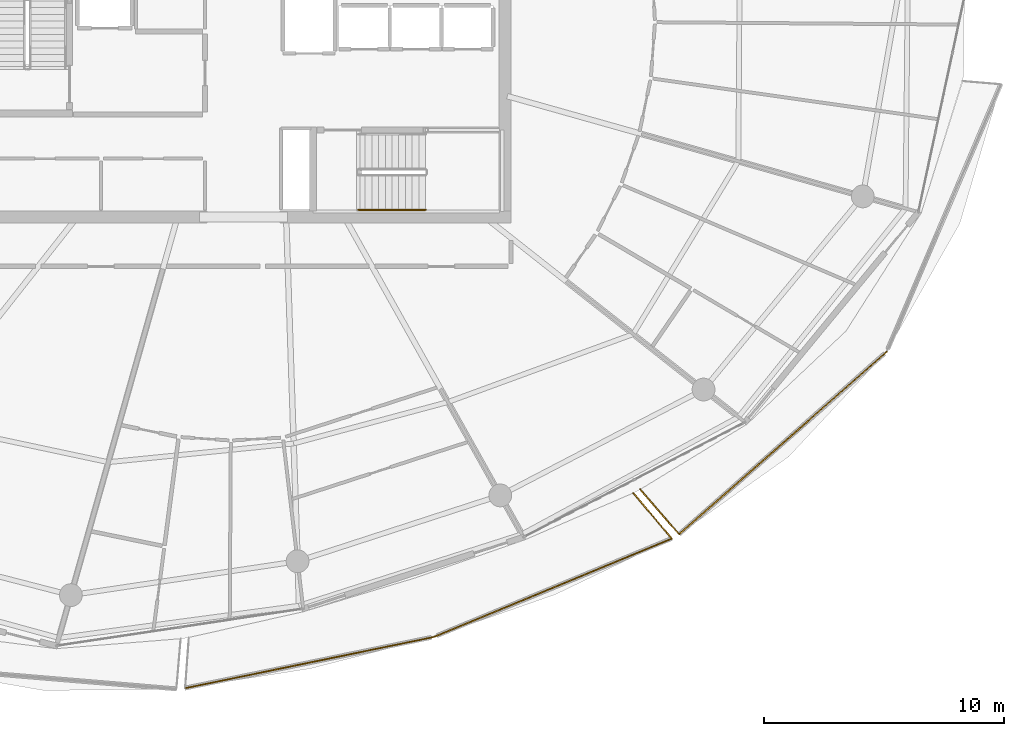
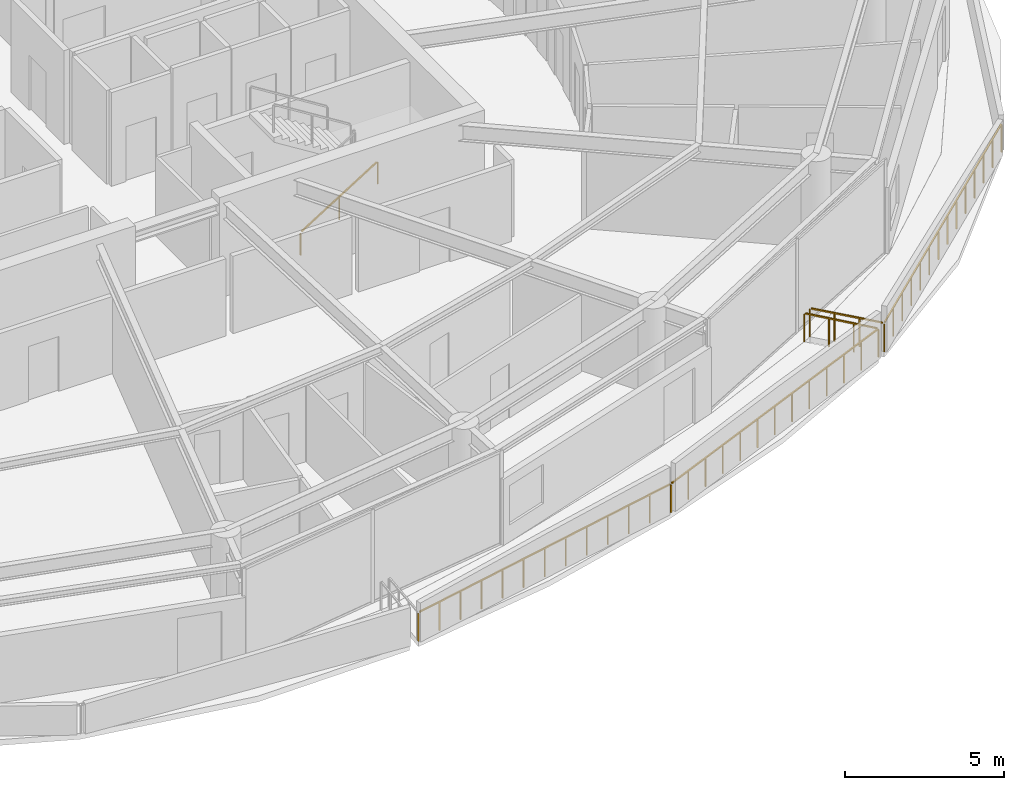
# One storey, part 26 of 30: 6 railings.
"""IFC4 building model written with IfcOpenShell, lengths in metres."""

from ifc_helpers import new_model, si_unit, direction, frame, origin, origin_2d, place, context, subcontext, project, spatial, rectangle, extrude, material, type_object, element, save


model = new_model("IFC4")

# Units and contexts
model_context = context("Model", 3, precision=1e-05, world=origin(), true_north=direction((0.0, 1.0)))
body_context = subcontext(model_context, "Body", "Model", "MODEL_VIEW")
ifc_project = project(units=[si_unit("LENGTHUNIT", "METRE"), si_unit("AREAUNIT", "SQUARE_METRE"), si_unit("VOLUMEUNIT", "CUBIC_METRE"), si_unit("PLANEANGLEUNIT", "RADIAN"), si_unit("MASSUNIT", "GRAM", prefix="KILO")], contexts=[model_context])

# Site, building, storey
site_placement = place(None, origin())
site = spatial("IfcSite", under=ifc_project, at=site_placement, CompositionType="ELEMENT")
building_placement = place(site_placement, origin())
building = spatial("IfcBuilding", under=site, at=building_placement, Name="Kazma Halo Residences", CompositionType="ELEMENT")
storey_placement = place(building_placement, frame((0.0, 0.0, 290.60009765625)))
storey = spatial("IfcBuildingStorey", under=building, at=storey_placement, Name="L73", CompositionType="ELEMENT", Elevation=290.60009765625)

# Railings
ifc_material_1 = material(Name="Aluminium AW-6063 T6 Brushed Cap Rail", Category="aluminium")
railing_type_1 = type_object("IfcRailingType", Name="RLG-BAL-CAP-1120", PredefinedType="BALUSTRADE", material=ifc_material_1)
railing_1_placement = place(storey_placement, frame((45.97900390625, 14.14453125, 0.0)))
element("IfcRailing", 1, at=railing_1_placement, inside=storey, type_object=railing_type_1, Name="L73 SSE wave balcony guard 2", PredefinedType="BALUSTRADE", context=body_context, shape_type="SweptSolid", body=[
    extrude(rectangle(XDim=0.050048828125, YDim=0.050048828125, at=origin_2d()), frame((0.041748046875, 0.008544921875, 1.09521484375), z_axis=(0.979468151895, 0.2015989569, 0.0), x_axis=(-0.2015989569, 0.979468151895, 0.0)), (0.0, 0.0, 1.0), 10.51025390625),
    extrude(rectangle(XDim=0.0400390625, YDim=0.0400390625, at=origin_2d()), origin(), (0.0, 0.0, 1.0), 1.05810546875),
    extrude(rectangle(XDim=0.0400390625, YDim=0.0400390625, at=origin_2d()), frame((0.86474609375, 0.177978515625, 0.0)), (0.0, 0.0, 1.0), 1.05810546875),
    extrude(rectangle(XDim=0.0400390625, YDim=0.0400390625, at=origin_2d()), frame((1.7294921875, 0.35595703125, 0.0)), (0.0, 0.0, 1.0), 1.05810546875),
    extrude(rectangle(XDim=0.0400390625, YDim=0.0400390625, at=origin_2d()), frame((2.594482421875, 0.533935546875, 0.0)), (0.0, 0.0, 1.0), 1.05810546875),
    extrude(rectangle(XDim=0.0400390625, YDim=0.0400390625, at=origin_2d()), frame((3.459228515625, 0.7119140625, 0.0)), (0.0, 0.0, 1.0), 1.05810546875),
    extrude(rectangle(XDim=0.0400390625, YDim=0.0400390625, at=origin_2d()), frame((4.323974609375, 0.889892578125, 0.0)), (0.0, 0.0, 1.0), 1.05810546875),
    extrude(rectangle(XDim=0.0400390625, YDim=0.0400390625, at=origin_2d()), frame((5.18896484375, 1.06787109375, 0.0)), (0.0, 0.0, 1.0), 1.05810546875),
    extrude(rectangle(XDim=0.0400390625, YDim=0.0400390625, at=origin_2d()), frame((6.0537109375, 1.24609375, 0.0)), (0.0, 0.0, 1.0), 1.05810546875),
    extrude(rectangle(XDim=0.0400390625, YDim=0.0400390625, at=origin_2d()), frame((6.91845703125, 1.424072265625, 0.0)), (0.0, 0.0, 1.0), 1.05810546875),
    extrude(rectangle(XDim=0.0400390625, YDim=0.0400390625, at=origin_2d()), frame((7.783203125, 1.60205078125, 0.0)), (0.0, 0.0, 1.0), 1.05810546875),
    extrude(rectangle(XDim=0.0400390625, YDim=0.0400390625, at=origin_2d()), frame((8.64794921875, 1.780029296875, 0.0)), (0.0, 0.0, 1.0), 1.05810546875),
    extrude(rectangle(XDim=0.0400390625, YDim=0.0400390625, at=origin_2d()), frame((9.512939453125, 1.9580078125, 0.0)), (0.0, 0.0, 1.0), 1.05810546875),
    extrude(rectangle(XDim=0.0400390625, YDim=0.0400390625, at=origin_2d()), frame((10.377685546875, 2.135986328125, 0.0)), (0.0, 0.0, 1.0), 1.05810546875),
])
railing_2_placement = place(storey_placement, frame((56.356689453125, 16.280517578125, 0.0)))
element("IfcRailing", 2, at=railing_2_placement, inside=storey, type_object=railing_type_1, Name="L73 SSE wave balcony guard 3", PredefinedType="BALUSTRADE", context=body_context, shape_type="SweptSolid", body=[
    extrude(rectangle(XDim=0.050048828125, YDim=0.050048828125, at=origin_2d()), frame((0.039306640625, 0.016357421875, 1.09521484375), z_axis=(0.923952054483, 0.382508301892, 0.0), x_axis=(-0.382508301892, 0.923952054483, 0.0)), (0.0, 0.0, 1.0), 10.615478515625),
    extrude(rectangle(XDim=0.0400390625, YDim=0.0400390625, at=origin_2d()), origin(), (0.0, 0.0, 1.0), 1.05810546875),
    extrude(rectangle(XDim=0.0400390625, YDim=0.0400390625, at=origin_2d()), frame((0.823974609375, 0.341064453125, 0.0)), (0.0, 0.0, 1.0), 1.05810546875),
    extrude(rectangle(XDim=0.0400390625, YDim=0.0400390625, at=origin_2d()), frame((1.647705078125, 0.68212890625, 0.0)), (0.0, 0.0, 1.0), 1.05810546875),
    extrude(rectangle(XDim=0.0400390625, YDim=0.0400390625, at=origin_2d()), frame((2.4716796875, 1.023193359375, 0.0)), (0.0, 0.0, 1.0), 1.05810546875),
    extrude(rectangle(XDim=0.0400390625, YDim=0.0400390625, at=origin_2d()), frame((3.295654296875, 1.3642578125, 0.0)), (0.0, 0.0, 1.0), 1.05810546875),
    extrude(rectangle(XDim=0.0400390625, YDim=0.0400390625, at=origin_2d()), frame((4.119384765625, 1.705322265625, 0.0)), (0.0, 0.0, 1.0), 1.05810546875),
    extrude(rectangle(XDim=0.0400390625, YDim=0.0400390625, at=origin_2d()), frame((4.943359375, 2.04638671875, 0.0)), (0.0, 0.0, 1.0), 1.05810546875),
    extrude(rectangle(XDim=0.0400390625, YDim=0.0400390625, at=origin_2d()), frame((5.767333984375, 2.3876953125, 0.0)), (0.0, 0.0, 1.0), 1.05810546875),
    extrude(rectangle(XDim=0.0400390625, YDim=0.0400390625, at=origin_2d()), frame((6.591064453125, 2.728759765625, 0.0)), (0.0, 0.0, 1.0), 1.05810546875),
    extrude(rectangle(XDim=0.0400390625, YDim=0.0400390625, at=origin_2d()), frame((7.4150390625, 3.06982421875, 0.0)), (0.0, 0.0, 1.0), 1.05810546875),
    extrude(rectangle(XDim=0.0400390625, YDim=0.0400390625, at=origin_2d()), frame((8.239013671875, 3.410888671875, 0.0)), (0.0, 0.0, 1.0), 1.05810546875),
    extrude(rectangle(XDim=0.0400390625, YDim=0.0400390625, at=origin_2d()), frame((9.062744140625, 3.751953125, 0.0)), (0.0, 0.0, 1.0), 1.05810546875),
    extrude(rectangle(XDim=0.0400390625, YDim=0.0400390625, at=origin_2d()), frame((9.88671875, 4.093017578125, 0.0)), (0.0, 0.0, 1.0), 1.05810546875),
])
railing_3_placement = place(storey_placement, frame((66.243408203125, 20.37353515625, 0.0)))
element("IfcRailing", 3, at=railing_3_placement, inside=storey, type_object=railing_type_1, Name="L73 SSE wave balcony guard 4", PredefinedType="BALUSTRADE", context=body_context, shape_type="SweptSolid", body=[
    extrude(rectangle(XDim=0.050048828125, YDim=0.050048828125, at=origin_2d()), frame((-0.02734375, 0.032470703125, 1.09521484375), z_axis=(-0.644811625636, 0.764341525396, 0.0), x_axis=(-0.764341525396, -0.644811625636, 0.0)), (0.0, 0.0, 1.0), 2.39453125),
    extrude(rectangle(XDim=0.0400390625, YDim=0.0400390625, at=origin_2d()), origin(), (0.0, 0.0, 1.0), 1.05810546875),
    extrude(rectangle(XDim=0.0400390625, YDim=0.0400390625, at=origin_2d()), frame((-0.532958984375, 0.6318359375, 0.0)), (0.0, 0.0, 1.0), 1.05810546875),
    extrude(rectangle(XDim=0.0400390625, YDim=0.0400390625, at=origin_2d()), frame((-1.06591796875, 1.263427734375, 0.0)), (0.0, 0.0, 1.0), 1.05810546875),
    extrude(rectangle(XDim=0.0400390625, YDim=0.0400390625, at=origin_2d()), frame((-1.598876953125, 1.895263671875, 0.0)), (0.0, 0.0, 1.0), 1.05810546875),
])
railing_4_placement = place(storey_placement, frame((64.93212890625, 22.41845703125, 0.0)))
element("IfcRailing", 4, at=railing_4_placement, inside=storey, type_object=railing_type_1, Name="L73 SE wave balcony guard 1", PredefinedType="BALUSTRADE", context=body_context, shape_type="SweptSolid", body=[
    extrude(rectangle(XDim=0.050048828125, YDim=0.050048828125, at=origin_2d()), frame((0.02783203125, -0.0322265625, 1.09521484375), z_axis=(0.654072490965, -0.756431871726, 0.0), x_axis=(0.756431871726, 0.654072490965, 0.0)), (0.0, 0.0, 1.0), 2.385986328125),
    extrude(rectangle(XDim=0.0400390625, YDim=0.0400390625, at=origin_2d()), origin(), (0.0, 0.0, 1.0), 1.05810546875),
    extrude(rectangle(XDim=0.0400390625, YDim=0.0400390625, at=origin_2d()), frame((0.538818359375, -0.623046875, 0.0)), (0.0, 0.0, 1.0), 1.05810546875),
    extrude(rectangle(XDim=0.0400390625, YDim=0.0400390625, at=origin_2d()), frame((1.077392578125, -1.24609375, 0.0)), (0.0, 0.0, 1.0), 1.05810546875),
    extrude(rectangle(XDim=0.0400390625, YDim=0.0400390625, at=origin_2d()), frame((1.6162109375, -1.869140625, 0.0)), (0.0, 0.0, 1.0), 1.05810546875),
])
railing_5_placement = place(storey_placement, frame((66.54833984375, 20.54931640625, 0.0)))
element("IfcRailing", 5, at=railing_5_placement, inside=storey, type_object=railing_type_1, Name="L73 SE wave balcony guard 2", PredefinedType="BALUSTRADE", context=body_context, shape_type="SweptSolid", body=[
    extrude(rectangle(XDim=0.050048828125, YDim=0.050048828125, at=origin_2d()), frame((0.031982421875, 0.028076171875, 1.09521484375), z_axis=(0.750910075064, 0.660404466344, 0.0), x_axis=(-0.660404466344, 0.750910075064, 0.0)), (0.0, 0.0, 1.0), 11.419921875),
    extrude(rectangle(XDim=0.0400390625, YDim=0.0400390625, at=origin_2d()), origin(), (0.0, 0.0, 1.0), 1.05810546875),
    extrude(rectangle(XDim=0.0400390625, YDim=0.0400390625, at=origin_2d()), frame((0.66455078125, 0.58447265625, 0.0)), (0.0, 0.0, 1.0), 1.05810546875),
    extrude(rectangle(XDim=0.0400390625, YDim=0.0400390625, at=origin_2d()), frame((1.3291015625, 1.1689453125, 0.0)), (0.0, 0.0, 1.0), 1.05810546875),
    extrude(rectangle(XDim=0.0400390625, YDim=0.0400390625, at=origin_2d()), frame((1.99365234375, 1.75341796875, 0.0)), (0.0, 0.0, 1.0), 1.05810546875),
    extrude(rectangle(XDim=0.0400390625, YDim=0.0400390625, at=origin_2d()), frame((2.658203125, 2.337890625, 0.0)), (0.0, 0.0, 1.0), 1.05810546875),
    extrude(rectangle(XDim=0.0400390625, YDim=0.0400390625, at=origin_2d()), frame((3.32275390625, 2.92236328125, 0.0)), (0.0, 0.0, 1.0), 1.05810546875),
    extrude(rectangle(XDim=0.0400390625, YDim=0.0400390625, at=origin_2d()), frame((3.9873046875, 3.5068359375, 0.0)), (0.0, 0.0, 1.0), 1.05810546875),
    extrude(rectangle(XDim=0.0400390625, YDim=0.0400390625, at=origin_2d()), frame((4.65185546875, 4.091064453125, 0.0)), (0.0, 0.0, 1.0), 1.05810546875),
    extrude(rectangle(XDim=0.0400390625, YDim=0.0400390625, at=origin_2d()), frame((5.31640625, 4.675537109375, 0.0)), (0.0, 0.0, 1.0), 1.05810546875),
    extrude(rectangle(XDim=0.0400390625, YDim=0.0400390625, at=origin_2d()), frame((5.98095703125, 5.260009765625, 0.0)), (0.0, 0.0, 1.0), 1.05810546875),
    extrude(rectangle(XDim=0.0400390625, YDim=0.0400390625, at=origin_2d()), frame((6.6455078125, 5.844482421875, 0.0)), (0.0, 0.0, 1.0), 1.05810546875),
    extrude(rectangle(XDim=0.0400390625, YDim=0.0400390625, at=origin_2d()), frame((7.31005859375, 6.428955078125, 0.0)), (0.0, 0.0, 1.0), 1.05810546875),
    extrude(rectangle(XDim=0.0400390625, YDim=0.0400390625, at=origin_2d()), frame((7.974609375, 7.013427734375, 0.0)), (0.0, 0.0, 1.0), 1.05810546875),
    extrude(rectangle(XDim=0.0400390625, YDim=0.0400390625, at=origin_2d()), frame((8.63916015625, 7.597900390625, 0.0)), (0.0, 0.0, 1.0), 1.05810546875),
])
ifc_material_2 = material(Name="Brushed Stainless Steel", Category="steel")
railing_type_2 = type_object("IfcRailingType", Name="RLG-STAIR-HND-900", PredefinedType="HANDRAIL", material=ifc_material_2)
railing_6_placement = place(storey_placement, frame((53.199951171875, 34.050048828125, 0.1748046875)))
element("IfcRailing", 6, at=railing_6_placement, inside=storey, type_object=railing_type_2, Name="L73 ST-03 stair handrail 1", PredefinedType="HANDRAIL", context=body_context, shape_type="SweptSolid", body=[
    extrude(rectangle(XDim=0.050048828125, YDim=0.050048828125, at=origin_2d()), frame((0.0361328125, 0.0, 0.8974609375), z_axis=(0.848002457836, 0.0, 0.529992293815), x_axis=(0.0, 1.0, 0.0)), (0.0, 0.0, 1.0), 3.216796875),
    extrude(rectangle(XDim=0.0400390625, YDim=0.0400390625, at=origin_2d()), origin(), (0.0, 0.0, 1.0), 0.837890625),
    extrude(rectangle(XDim=0.0400390625, YDim=0.0400390625, at=origin_2d()), frame((1.39990234375, 0.0, 0.875)), (0.0, 0.0, 1.0), 0.837890625),
    extrude(rectangle(XDim=0.0400390625, YDim=0.0400390625, at=origin_2d()), frame((2.800048828125, 0.0, 1.75)), (0.0, 0.0, 1.0), 0.837890625),
])

save(model, "model.ifc")
